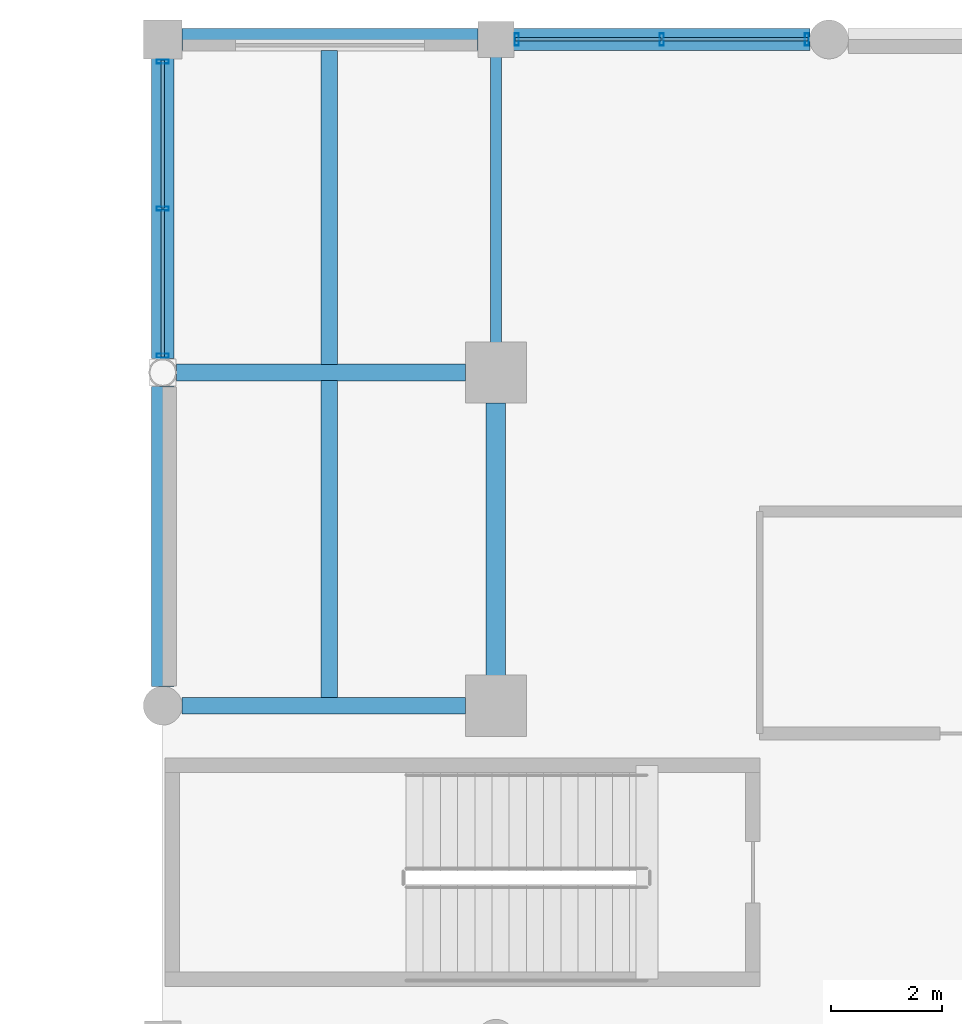
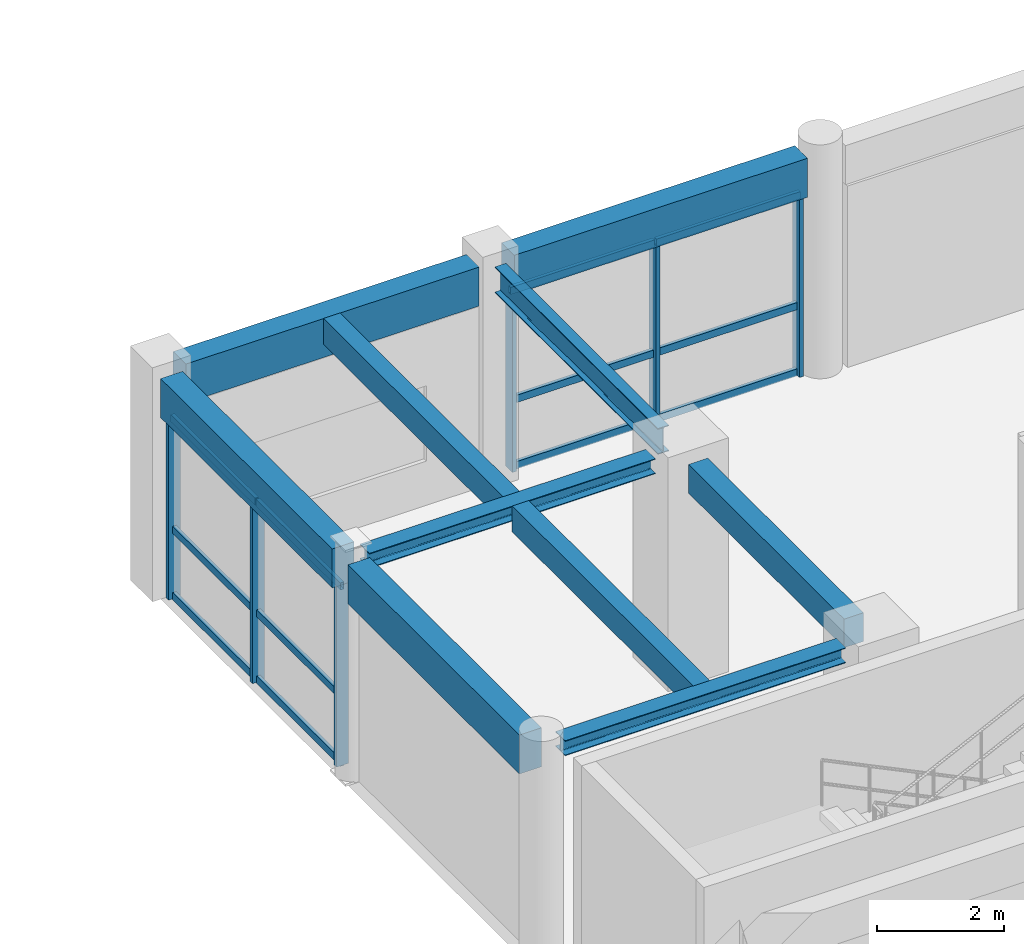
# One storey, part 36 of 116: 18 members, 10 beams, 2 elements without a shape of their own.
"""IFC4 building model written with IfcOpenShell, lengths in metres."""

from ifc_helpers import new_model, si_unit, direction, frame, origin, origin_2d, place, context, subcontext, project, spatial, rectangle, hollow_rectangle, i_section, extrude, material, material_profile, profile_set, type_object, element, aggregate, save


model = new_model("IFC4")

# Units and contexts
model_context = context("Model", 3, precision=1e-05, world=origin(), true_north=direction((0.0, 1.0)))
body_context = subcontext(model_context, "Body", "Model", "MODEL_VIEW")
ifc_project = project(units=[si_unit("LENGTHUNIT", "METRE"), si_unit("AREAUNIT", "SQUARE_METRE"), si_unit("VOLUMEUNIT", "CUBIC_METRE"), si_unit("PLANEANGLEUNIT", "RADIAN"), si_unit("MASSUNIT", "GRAM", prefix="KILO"), si_unit("THERMODYNAMICTEMPERATUREUNIT", "KELVIN"), si_unit("POWERUNIT", "WATT")], contexts=[model_context])

# Site, building, storey
site_placement = place(None, origin())
site = spatial("IfcSite", under=ifc_project, at=site_placement, CompositionType="ELEMENT")
building_placement = place(site_placement, origin())
building = spatial("IfcBuilding", under=site, at=building_placement, Name="Phaisarnlok Congress Hotel", CompositionType="ELEMENT")
storey_placement = place(building_placement, frame((0.0, 0.0, 10.5)))
storey = spatial("IfcBuildingStorey", under=building, at=storey_placement, Name="L02", CompositionType="ELEMENT", Elevation=10.5)

# Beams
ifc_material_1 = material(Name="Concrete C40/50", Category="concrete")
ifc_material_profile_1 = material_profile(ifc_material_1, rectangle(XDim=0.35009765625, YDim=0.550048828125, at=origin_2d()), Name="RC 350x550")
ifc_profile_set_1 = profile_set([ifc_material_profile_1], Name="Concrete C40/50")
beam_type_1 = type_object("IfcBeamType", Name="BM-RC-350x550", PredefinedType="BEAM", material=ifc_profile_set_1)
beam_1_placement = place(storey_placement, frame((72.0, 114.544921875, 3.965087890625), z_axis=(0.0, 1.0, 0.0), x_axis=(-1.0, 0.0, 0.0)))
element("IfcBeam", 1, at=beam_1_placement, inside=storey, type_object=beam_type_1, Name="Beam B-01", PredefinedType="BEAM", context=body_context, shape_type="SweptSolid", body=[
    extrude(rectangle(XDim=0.35009765625, YDim=0.550048828125, at=origin_2d()), origin(), (0.0, 0.0, 1.0), 4.91015625),
])
ifc_material_2 = material(Name="Steel S355", Category="steel")
ifc_material_profile_2 = material_profile(ifc_material_2, i_section(OverallWidth=0.300048828125, OverallDepth=0.2900390625, WebThickness=0.008544921875, FlangeThickness=0.013916015625, FilletRadius=0.027099609375, at=origin_2d()), Name="HEA 300")
ifc_profile_set_2 = profile_set([ifc_material_profile_2], Name="Steel S355")
beam_type_2 = type_object("IfcBeamType", Name="BM-STL-HEA300", PredefinedType="BEAM", material=ifc_profile_set_2)
beam_2_placement = place(storey_placement, frame((66.344970703125, 114.0, 4.094970703125), z_axis=(1.0, 0.0, 0.0), x_axis=(0.0, 1.0, 0.0)))
element("IfcBeam", 2, at=beam_2_placement, inside=storey, type_object=beam_type_2, Name="Beam SB-05", PredefinedType="BEAM", context=body_context, shape_type="SweptSolid", body=[
    extrude(i_section(OverallWidth=0.300048828125, OverallDepth=0.2900390625, WebThickness=0.008544921875, FlangeThickness=0.013916015625, FilletRadius=0.027099609375, at=origin_2d()), origin(), (0.0, 0.0, 1.0), 5.110107421875),
])
beam_3_placement = place(storey_placement, frame((66.2490234375, 120.0, 4.094970703125), z_axis=(1.0, 0.0, 0.0), x_axis=(0.0, 1.0, 0.0)))
element("IfcBeam", 3, at=beam_3_placement, inside=storey, type_object=beam_type_2, Name="Beam SB-05", PredefinedType="BEAM", context=body_context, shape_type="SweptSolid", body=[
    extrude(i_section(OverallWidth=0.300048828125, OverallDepth=0.2900390625, WebThickness=0.008544921875, FlangeThickness=0.013916015625, FilletRadius=0.027099609375, at=origin_2d()), origin(), (0.0, 0.0, 1.0), 5.2060546875),
])
ifc_material_profile_3 = material_profile(ifc_material_2, i_section(OverallWidth=0.199951171875, OverallDepth=0.5, WebThickness=0.01025390625, FlangeThickness=0.01611328125, FilletRadius=0.02099609375, at=origin_2d()), Name="IPE 500")
ifc_profile_set_3 = profile_set([ifc_material_profile_3], Name="Steel S355")
beam_type_3 = type_object("IfcBeamType", Name="BM-STL-IPE500", PredefinedType="BEAM", material=ifc_profile_set_3)
beam_4_placement = place(storey_placement, frame((72.0, 120.544921875, 3.989990234375), z_axis=(0.0, 1.0, 0.0), x_axis=(-1.0, 0.0, 0.0)))
element("IfcBeam", 4, at=beam_4_placement, inside=storey, type_object=beam_type_3, Name="Beam SB-02", PredefinedType="BEAM", context=body_context, shape_type="SweptSolid", body=[
    extrude(i_section(OverallWidth=0.199951171875, OverallDepth=0.5, WebThickness=0.01025390625, FlangeThickness=0.01611328125, FilletRadius=0.02099609375, at=origin_2d()), origin(), (0.0, 0.0, 1.0), 5.135009765625),
])

# Curtain wall, members
ifc_material_3 = material(Name="Thermally Broken Unitised Aluminium & Low-E Glazing", Category="aluminium")
curtain_wall_type_1 = type_object("IfcCurtainWallType", Name="CW-UNIT-16", PredefinedType="NOTDEFINED", material=ifc_material_3)
curtain_wall_1_placement = place(storey_placement, origin())
curtain_wall_1 = element("IfcCurtainWall", 5, at=curtain_wall_1_placement, inside=storey, type_object=curtain_wall_type_1, Name="Unitised curtain wall CW-16 (L02)", PredefinedType="NOTDEFINED")
ifc_material_4 = material(Name="Anodised Aluminium Alloy 6063-T6", Category="aluminium")
ifc_material_profile_4 = material_profile(ifc_material_4, hollow_rectangle(XDim=0.074951171875, YDim=0.219970703125, WallThickness=0.0048828125, at=origin_2d()), Name="ALU-M 75x220x5")
ifc_profile_set_4 = profile_set([ifc_material_profile_4], Name="Anodised Aluminium Alloy 6063-T6")
member_type_1 = type_object("IfcMemberType", Name="CWM-220", PredefinedType="MULLION", material=ifc_profile_set_4)
member_1_placement = place(storey_placement, frame((77.60009765625, 126.0, 0.0), z_axis=(0.0, 0.0, 1.0), x_axis=(-1.0, 0.0, 0.0)))
member_1 = element("IfcMember", 6, at=member_1_placement, type_object=member_type_1, Name="Curtain wall mullion CWM-02", PredefinedType="MULLION", context=body_context, shape_type="SweptSolid", body=[
    extrude(hollow_rectangle(XDim=0.074951171875, YDim=0.219970703125, WallThickness=0.0048828125, at=origin_2d()), origin(), (0.0, 0.0, 1.0), 3.489990234375),
])
member_2_placement = place(storey_placement, frame((74.987548828125, 126.0, 0.0), z_axis=(0.0, 0.0, 1.0), x_axis=(-1.0, 0.0, 0.0)))
member_2 = element("IfcMember", 7, at=member_2_placement, type_object=member_type_1, Name="Curtain wall mullion CWM-02", PredefinedType="MULLION", context=body_context, shape_type="SweptSolid", body=[
    extrude(hollow_rectangle(XDim=0.074951171875, YDim=0.219970703125, WallThickness=0.0048828125, at=origin_2d()), origin(), (0.0, 0.0, 1.0), 3.489990234375),
])
member_3_placement = place(storey_placement, frame((72.375, 126.0, 0.0), z_axis=(0.0, 0.0, 1.0), x_axis=(-1.0, 0.0, 0.0)))
member_3 = element("IfcMember", 8, at=member_3_placement, type_object=member_type_1, Name="Curtain wall mullion CWM-02", PredefinedType="MULLION", context=body_context, shape_type="SweptSolid", body=[
    extrude(hollow_rectangle(XDim=0.074951171875, YDim=0.219970703125, WallThickness=0.0048828125, at=origin_2d()), origin(), (0.0, 0.0, 1.0), 3.489990234375),
])

curtain_wall_type_2 = type_object("IfcCurtainWallType", Name="CW-UNIT-17", PredefinedType="NOTDEFINED", material=ifc_material_3)
curtain_wall_2_placement = place(storey_placement, origin())
curtain_wall_2 = element("IfcCurtainWall", 9, at=curtain_wall_2_placement, inside=storey, type_object=curtain_wall_type_2, Name="Unitised curtain wall CW-17 (L02)", PredefinedType="NOTDEFINED")
member_4_placement = place(storey_placement, frame((66.0, 125.60009765625, 0.0), z_axis=(0.0, 0.0, 1.0), x_axis=(0.0, -1.0, 0.0)))
member_4 = element("IfcMember", 10, at=member_4_placement, type_object=member_type_1, Name="Curtain wall mullion CWM-02", PredefinedType="MULLION", context=body_context, shape_type="SweptSolid", body=[
    extrude(hollow_rectangle(XDim=0.074951171875, YDim=0.219970703125, WallThickness=0.0048828125, at=origin_2d()), origin(), (0.0, 0.0, 1.0), 3.489990234375),
])
member_5_placement = place(storey_placement, frame((66.0, 122.951904296875, 0.0), z_axis=(0.0, 0.0, 1.0), x_axis=(0.0, -1.0, 0.0)))
member_5 = element("IfcMember", 11, at=member_5_placement, type_object=member_type_1, Name="Curtain wall mullion CWM-02", PredefinedType="MULLION", context=body_context, shape_type="SweptSolid", body=[
    extrude(hollow_rectangle(XDim=0.074951171875, YDim=0.219970703125, WallThickness=0.0048828125, at=origin_2d()), origin(), (0.0, 0.0, 1.0), 3.489990234375),
])
member_6_placement = place(storey_placement, frame((66.0, 120.303955078125, 0.0), z_axis=(0.0, 0.0, 1.0), x_axis=(0.0, -1.0, 0.0)))
member_6 = element("IfcMember", 12, at=member_6_placement, type_object=member_type_1, Name="Curtain wall mullion CWM-02", PredefinedType="MULLION", context=body_context, shape_type="SweptSolid", body=[
    extrude(hollow_rectangle(XDim=0.074951171875, YDim=0.219970703125, WallThickness=0.0048828125, at=origin_2d()), origin(), (0.0, 0.0, 1.0), 3.489990234375),
])

# Member
ifc_material_profile_5 = material_profile(ifc_material_4, hollow_rectangle(XDim=0.06494140625, YDim=0.139892578125, WallThickness=0.00390625, at=origin_2d()), Name="ALU-T 65x140x4")
ifc_profile_set_5 = profile_set([ifc_material_profile_5], Name="Anodised Aluminium Alloy 6063-T6")
member_type_2 = type_object("IfcMemberType", Name="CWT-150", PredefinedType="USERDEFINED", material=ifc_profile_set_5)
member_7_placement = place(storey_placement, frame((77.625, 126.0, 0.050048828125), z_axis=(-1.0, 0.0, 0.0), x_axis=(0.0, -1.0, 0.0)))
member_7 = element("IfcMember", 13, at=member_7_placement, type_object=member_type_2, Name="Curtain wall transom CWT-01", ObjectType="TRANSOM", PredefinedType="USERDEFINED", context=body_context, shape_type="SweptSolid", body=[
    extrude(hollow_rectangle(XDim=0.06494140625, YDim=0.139892578125, WallThickness=0.00390625, at=origin_2d()), origin(), (0.0, 0.0, 1.0), 2.62255859375),
])

member_8_placement = place(storey_placement, frame((77.625, 126.0, 1.326171875), z_axis=(-1.0, 0.0, 0.0), x_axis=(0.0, -1.0, 0.0)))
member_8 = element("IfcMember", 14, at=member_8_placement, type_object=member_type_2, Name="Curtain wall transom CWT-01", ObjectType="TRANSOM", PredefinedType="USERDEFINED", context=body_context, shape_type="SweptSolid", body=[
    extrude(hollow_rectangle(XDim=0.06494140625, YDim=0.139892578125, WallThickness=0.00390625, at=origin_2d()), origin(), (0.0, 0.0, 1.0), 2.62255859375),
])

member_9_placement = place(storey_placement, frame((77.625, 126.0, 3.43994140625), z_axis=(-1.0, 0.0, 0.0), x_axis=(0.0, -1.0, 0.0)))
member_9 = element("IfcMember", 15, at=member_9_placement, type_object=member_type_2, Name="Curtain wall transom CWT-01", ObjectType="TRANSOM", PredefinedType="USERDEFINED", context=body_context, shape_type="SweptSolid", body=[
    extrude(hollow_rectangle(XDim=0.06494140625, YDim=0.139892578125, WallThickness=0.00390625, at=origin_2d()), origin(), (0.0, 0.0, 1.0), 2.62255859375),
])

member_10_placement = place(storey_placement, frame((74.972412109375, 126.0, 0.050048828125), z_axis=(-1.0, 0.0, 0.0), x_axis=(0.0, -1.0, 0.0)))
member_10 = element("IfcMember", 16, at=member_10_placement, type_object=member_type_2, Name="Curtain wall transom CWT-01", ObjectType="TRANSOM", PredefinedType="USERDEFINED", context=body_context, shape_type="SweptSolid", body=[
    extrude(hollow_rectangle(XDim=0.06494140625, YDim=0.139892578125, WallThickness=0.00390625, at=origin_2d()), origin(), (0.0, 0.0, 1.0), 2.622314453125),
])

member_11_placement = place(storey_placement, frame((74.972412109375, 126.0, 1.326171875), z_axis=(-1.0, 0.0, 0.0), x_axis=(0.0, -1.0, 0.0)))
member_11 = element("IfcMember", 17, at=member_11_placement, type_object=member_type_2, Name="Curtain wall transom CWT-01", ObjectType="TRANSOM", PredefinedType="USERDEFINED", context=body_context, shape_type="SweptSolid", body=[
    extrude(hollow_rectangle(XDim=0.06494140625, YDim=0.139892578125, WallThickness=0.00390625, at=origin_2d()), origin(), (0.0, 0.0, 1.0), 2.622314453125),
])

member_12_placement = place(storey_placement, frame((74.972412109375, 126.0, 3.43994140625), z_axis=(-1.0, 0.0, 0.0), x_axis=(0.0, -1.0, 0.0)))
member_12 = element("IfcMember", 18, at=member_12_placement, type_object=member_type_2, Name="Curtain wall transom CWT-01", ObjectType="TRANSOM", PredefinedType="USERDEFINED", context=body_context, shape_type="SweptSolid", body=[
    extrude(hollow_rectangle(XDim=0.06494140625, YDim=0.139892578125, WallThickness=0.00390625, at=origin_2d()), origin(), (0.0, 0.0, 1.0), 2.622314453125),
])

aggregate(curtain_wall_1, [member_1, member_2, member_3, member_7, member_8, member_9, member_10, member_11, member_12])

member_13_placement = place(storey_placement, frame((66.0, 125.625, 0.050048828125), z_axis=(0.0, -1.0, 0.0), x_axis=(1.0, 0.0, 0.0)))
member_13 = element("IfcMember", 19, at=member_13_placement, type_object=member_type_2, Name="Curtain wall transom CWT-01", ObjectType="TRANSOM", PredefinedType="USERDEFINED", context=body_context, shape_type="SweptSolid", body=[
    extrude(hollow_rectangle(XDim=0.06494140625, YDim=0.139892578125, WallThickness=0.00390625, at=origin_2d()), origin(), (0.0, 0.0, 1.0), 2.657958984375),
])

member_14_placement = place(storey_placement, frame((66.0, 125.625, 1.326171875), z_axis=(0.0, -1.0, 0.0), x_axis=(1.0, 0.0, 0.0)))
member_14 = element("IfcMember", 20, at=member_14_placement, type_object=member_type_2, Name="Curtain wall transom CWT-01", ObjectType="TRANSOM", PredefinedType="USERDEFINED", context=body_context, shape_type="SweptSolid", body=[
    extrude(hollow_rectangle(XDim=0.06494140625, YDim=0.139892578125, WallThickness=0.00390625, at=origin_2d()), origin(), (0.0, 0.0, 1.0), 2.657958984375),
])

member_15_placement = place(storey_placement, frame((66.0, 125.625, 3.43994140625), z_axis=(0.0, -1.0, 0.0), x_axis=(1.0, 0.0, 0.0)))
member_15 = element("IfcMember", 21, at=member_15_placement, type_object=member_type_2, Name="Curtain wall transom CWT-01", ObjectType="TRANSOM", PredefinedType="USERDEFINED", context=body_context, shape_type="SweptSolid", body=[
    extrude(hollow_rectangle(XDim=0.06494140625, YDim=0.139892578125, WallThickness=0.00390625, at=origin_2d()), origin(), (0.0, 0.0, 1.0), 2.657958984375),
])

member_16_placement = place(storey_placement, frame((66.0, 122.93701171875, 0.050048828125), z_axis=(0.0, -1.0, 0.0), x_axis=(1.0, 0.0, 0.0)))
member_16 = element("IfcMember", 22, at=member_16_placement, type_object=member_type_2, Name="Curtain wall transom CWT-01", ObjectType="TRANSOM", PredefinedType="USERDEFINED", context=body_context, shape_type="SweptSolid", body=[
    extrude(hollow_rectangle(XDim=0.06494140625, YDim=0.139892578125, WallThickness=0.00390625, at=origin_2d()), origin(), (0.0, 0.0, 1.0), 2.657958984375),
])

member_17_placement = place(storey_placement, frame((66.0, 122.93701171875, 1.326171875), z_axis=(0.0, -1.0, 0.0), x_axis=(1.0, 0.0, 0.0)))
member_17 = element("IfcMember", 23, at=member_17_placement, type_object=member_type_2, Name="Curtain wall transom CWT-01", ObjectType="TRANSOM", PredefinedType="USERDEFINED", context=body_context, shape_type="SweptSolid", body=[
    extrude(hollow_rectangle(XDim=0.06494140625, YDim=0.139892578125, WallThickness=0.00390625, at=origin_2d()), origin(), (0.0, 0.0, 1.0), 2.657958984375),
])

member_18_placement = place(storey_placement, frame((66.0, 122.93701171875, 3.43994140625), z_axis=(0.0, -1.0, 0.0), x_axis=(1.0, 0.0, 0.0)))
member_18 = element("IfcMember", 24, at=member_18_placement, type_object=member_type_2, Name="Curtain wall transom CWT-01", ObjectType="TRANSOM", PredefinedType="USERDEFINED", context=body_context, shape_type="SweptSolid", body=[
    extrude(hollow_rectangle(XDim=0.06494140625, YDim=0.139892578125, WallThickness=0.00390625, at=origin_2d()), origin(), (0.0, 0.0, 1.0), 2.657958984375),
])

aggregate(curtain_wall_2, [member_4, member_5, member_6, member_13, member_14, member_15, member_16, member_17, member_18])

# Beams
ifc_material_profile_6 = material_profile(ifc_material_1, rectangle(XDim=0.300048828125, YDim=0.5, at=origin_2d()), Name="RC 300x500")
ifc_profile_set_6 = profile_set([ifc_material_profile_6], Name="Concrete C40/50")
beam_type_4 = type_object("IfcBeamType", Name="JS-RC-300x500", PredefinedType="JOIST", material=ifc_profile_set_6)
beam_5_placement = place(storey_placement, frame((69.0, 114.14501953125, 3.989990234375), z_axis=(0.0, 1.0, 0.0), x_axis=(-1.0, 0.0, 0.0)))
element("IfcBeam", 25, at=beam_5_placement, inside=storey, type_object=beam_type_4, Name="Secondary floor joist J-01", PredefinedType="JOIST", context=body_context, shape_type="SweptSolid", body=[
    extrude(rectangle(XDim=0.300048828125, YDim=0.5, at=origin_2d()), origin(), (0.0, 0.0, 1.0), 5.7099609375),
])
beam_6_placement = place(storey_placement, frame((69.0, 120.14501953125, 3.989990234375), z_axis=(0.0, 1.0, 0.0), x_axis=(-1.0, 0.0, 0.0)))
element("IfcBeam", 26, at=beam_6_placement, inside=storey, type_object=beam_type_4, Name="Secondary floor joist J-01", PredefinedType="JOIST", context=body_context, shape_type="SweptSolid", body=[
    extrude(rectangle(XDim=0.300048828125, YDim=0.5, at=origin_2d()), origin(), (0.0, 0.0, 1.0), 5.659912109375),
])
ifc_material_profile_7 = material_profile(ifc_material_1, rectangle(XDim=0.39990234375, YDim=0.75, at=origin_2d()), Name="RC 400x750")
ifc_profile_set_7 = profile_set([ifc_material_profile_7], Name="Concrete C40/50")
beam_type_5 = type_object("IfcBeamType", Name="SP-RC-400x750", PredefinedType="SPANDREL", material=ifc_profile_set_7)
for number, where, z_axis, x_axis, name in (
    (27, (66.0, 114.344970703125, 3.864990234375), (0.0, 1.0, 0.0), (-1.0, 0.0, 0.0), "Beam SP-02"),
    (28, (66.0, 120.2490234375, 3.864990234375), (0.0, 1.0, 0.0), (-1.0, 0.0, 0.0), "Beam SP-02"),
):
    element("IfcBeam", number, at=place(storey_placement, frame(where, z_axis=z_axis, x_axis=x_axis)), inside=storey, type_object=beam_type_5, Name=name, PredefinedType="SPANDREL", context=body_context, shape_type="SweptSolid", body=[
        extrude(rectangle(XDim=0.39990234375, YDim=0.75, at=origin_2d()), origin(), (0.0, 0.0, 1.0), 5.406005859375),
    ])
for number, where, z_axis, x_axis, name in (
    (29, (66.344970703125, 126.0, 3.864990234375), (1.0, 0.0, 0.0), (0.0, 1.0, 0.0), "Beam SP-02"),
    (30, (72.320068359375, 126.0, 3.864990234375), (1.0, 0.0, 0.0), (0.0, 1.0, 0.0), "Beam SP-02"),
):
    element("IfcBeam", number, at=place(storey_placement, frame(where, z_axis=z_axis, x_axis=x_axis)), inside=storey, type_object=beam_type_5, Name=name, PredefinedType="SPANDREL", context=body_context, shape_type="SweptSolid", body=[
        extrude(rectangle(XDim=0.39990234375, YDim=0.75, at=origin_2d()), origin(), (0.0, 0.0, 1.0), 5.3349609375),
    ])

save(model, "model.ifc")
